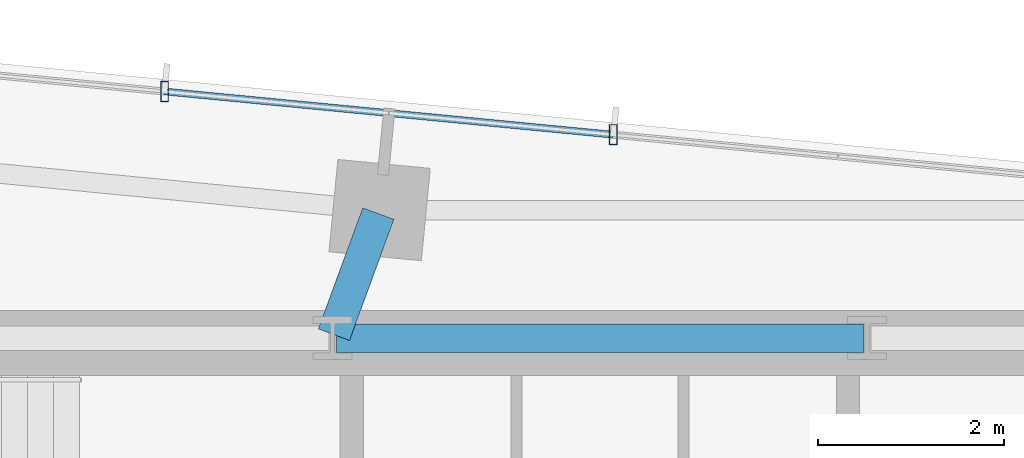
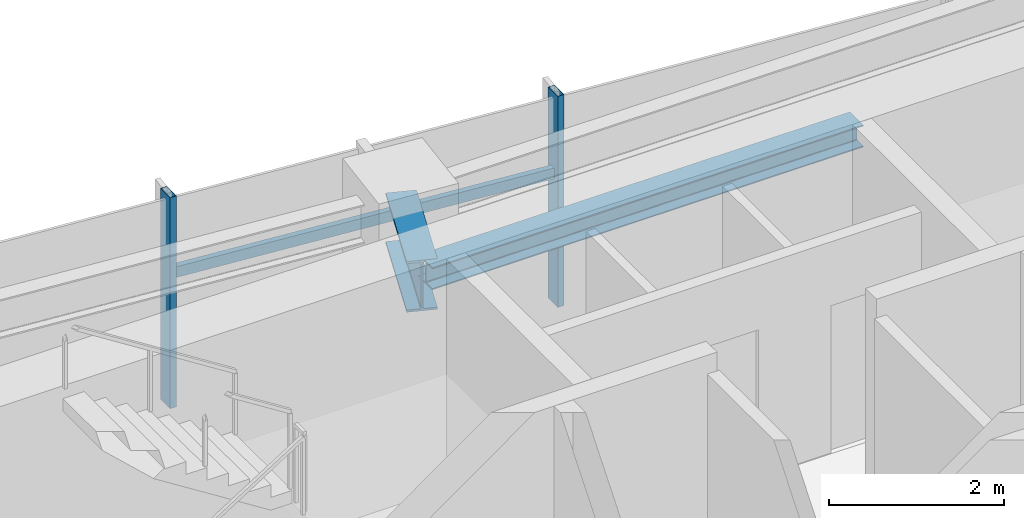
# One storey, part 8 of 20: 3 members, 2 beams, 1 element without a shape of its own.
"""IFC4 building model written with IfcOpenShell, lengths in metres."""

from ifc_helpers import new_model, si_unit, direction, frame, origin, origin_2d, place, context, subcontext, project, spatial, hollow_rectangle, i_section, extrude, source, transform, mapped, material, material_profile, profile_set, type_object, type_shapes, element, aggregate, save


model = new_model("IFC4")

# Units and contexts
model_context = context("Model", 3, precision=1e-05, world=origin(), true_north=direction((0.0, 1.0)))
body_context = subcontext(model_context, "Body", "Model", "MODEL_VIEW")
ifc_project = project(units=[si_unit("LENGTHUNIT", "METRE"), si_unit("AREAUNIT", "SQUARE_METRE"), si_unit("VOLUMEUNIT", "CUBIC_METRE"), si_unit("PLANEANGLEUNIT", "RADIAN"), si_unit("MASSUNIT", "GRAM", prefix="KILO")], contexts=[model_context])

# Site, building, storey
site_placement = place(None, origin())
site = spatial("IfcSite", under=ifc_project, at=site_placement, CompositionType="ELEMENT")
building_placement = place(site_placement, origin())
building = spatial("IfcBuilding", under=site, at=building_placement, Name="Astriad Promenade Condominiums", CompositionType="ELEMENT")
storey_placement = place(building_placement, frame((0.0, 0.0, 137.39990234375)))
storey = spatial("IfcBuildingStorey", under=building, at=storey_placement, Name="L39", CompositionType="ELEMENT", Elevation=137.39990234375)

# Beams
ifc_material_1 = material(Name="Steel ASTM A992 Grade 50", Category="steel")
ifc_material_profile_1 = material_profile(ifc_material_1, i_section(OverallWidth=0.3046875, OverallDepth=0.307861328125, WebThickness=0.010009765625, FlangeThickness=0.015380859375, FilletRadius=0.01513671875, at=origin_2d()), Name="W12X65")
ifc_profile_set_1 = profile_set([ifc_material_profile_1], Name="Steel ASTM A992 Grade 50")
beam_type_1 = type_object("IfcBeamType", Name="STEEL OPENING LINTEL W12X65", PredefinedType="LINTEL", material=ifc_profile_set_1)
shared_shape_1 = source(origin(), body_context, "Body", "SweptSolid", [
    extrude(i_section(OverallWidth=0.3046875, OverallDepth=0.307861328125, WebThickness=0.010009765625, FlangeThickness=0.015380859375, FilletRadius=0.01513671875, at=origin_2d()), origin(), (0.0, 0.0, 1.0), 5.68017578125),
])
type_shapes(beam_type_1, [shared_shape_1])
beam_1_placement = place(storey_placement, frame((33.159912109375, 24.0, 2.7861328125), z_axis=(1.0, 0.0, 0.0), x_axis=(0.0, 1.0, 0.0)))
element("IfcBeam", 1, at=beam_1_placement, inside=storey, type_object=beam_type_1, Name="Core Ring Beam CG-N2-L39", PredefinedType="LINTEL", context=body_context, shape_type="MappedRepresentation", body=[
    mapped(shared_shape_1, transform((0.0, 0.0, 0.0), scale=1.0)),
])
ifc_material_profile_2 = material_profile(ifc_material_1, i_section(OverallWidth=0.35791015625, OverallDepth=0.706298828125, WebThickness=0.018310546875, FlangeThickness=0.0302734375, FilletRadius=0.020263671875, at=origin_2d()), Name="W27X178")
ifc_profile_set_2 = profile_set([ifc_material_profile_2], Name="Steel ASTM A992 Grade 50")
beam_type_2 = type_object("IfcBeamType", Name="STEEL FLOOR GIRDER W27X178", PredefinedType="BEAM", material=ifc_profile_set_2)
shared_shape_2 = source(origin(), body_context, "Body", "SweptSolid", [
    extrude(i_section(OverallWidth=0.35791015625, OverallDepth=0.706298828125, WebThickness=0.018310546875, FlangeThickness=0.0302734375, FilletRadius=0.020263671875, at=origin_2d()), origin(), (0.0, 0.0, 1.0), 1.39013671875),
])
type_shapes(beam_type_2, [shared_shape_2])
beam_2_placement = place(storey_placement, frame((33.6123046875, 25.3427734375, 2.5869140625), z_axis=(-0.344223686797, -0.938887668173, 0.0), x_axis=(0.938887668173, -0.344223686797, 0.0)))
element("IfcBeam", 2, at=beam_2_placement, inside=storey, type_object=beam_type_2, Name="Primary Floor Girder PG-NC-L39", PredefinedType="BEAM", context=body_context, shape_type="MappedRepresentation", body=[
    mapped(shared_shape_2, transform((0.0, 0.0, 0.0), scale=1.0)),
])

# Curtain wall, members
ifc_material_2 = material(Name="Anodised aluminium Black Dark Glass Unitised", Category="aluminium")
curtain_wall_type = type_object("IfcCurtainWallType", Name="CW-B34-DARK", PredefinedType="USERDEFINED", material=ifc_material_2)
curtain_wall_placement = place(storey_placement, origin())
curtain_wall = element("IfcCurtainWall", 3, at=curtain_wall_placement, inside=storey, type_object=curtain_wall_type, Name="CW-L39-N", ObjectType="UNITISED_CURTAIN_WALL", PredefinedType="USERDEFINED")
ifc_material_3 = material(Name="Anodised aluminium 6063-T6 Black", Category="aluminium")
ifc_material_profile_3 = material_profile(ifc_material_3, hollow_rectangle(XDim=0.074951171875, YDim=0.14990234375, WallThickness=0.004150390625, at=origin_2d()), Name="ALU-TRN-75X150")
ifc_profile_set_3 = profile_set([ifc_material_profile_3], Name="Anodised aluminium 6063-T6 Black")
member_type_1 = type_object("IfcMemberType", Name="TRN-ALU-TRN-75X150", PredefinedType="USERDEFINED", material=ifc_profile_set_3)
shared_shape_3 = source(origin(), body_context, "Body", "SweptSolid", [
    extrude(hollow_rectangle(XDim=0.074951171875, YDim=0.14990234375, WallThickness=0.004150390625, at=origin_2d()), origin(), (0.0, 0.0, 1.0), 4.860107421875),
])
type_shapes(member_type_1, [shared_shape_3])
member_1_placement = place(storey_placement, frame((31.30810546875, 26.658447265625, 1.822998046875), z_axis=(0.995391248663, -0.09589714326, 0.0), x_axis=(0.09589714326, 0.995391248663, 0.0)))
member_1 = element("IfcMember", 4, at=member_1_placement, type_object=member_type_1, Name="CW-L39-N-TRN-01-0", ObjectType="TRANSOM", PredefinedType="USERDEFINED", context=body_context, shape_type="MappedRepresentation", body=[
    mapped(shared_shape_3, transform((0.0, 0.0, 0.0), scale=1.0)),
])
ifc_material_profile_4 = material_profile(ifc_material_3, hollow_rectangle(XDim=0.0849609375, YDim=0.219970703125, WallThickness=0.0048828125, at=origin_2d()), Name="ALU-MUL-85X220")
ifc_profile_set_4 = profile_set([ifc_material_profile_4], Name="Anodised aluminium 6063-T6 Black")
member_type_2 = type_object("IfcMemberType", Name="MUL-ALU-MUL-85X220", PredefinedType="MULLION", material=ifc_profile_set_4)
shared_shape_4 = source(origin(), body_context, "Body", "SweptSolid", [
    extrude(hollow_rectangle(XDim=0.0849609375, YDim=0.219970703125, WallThickness=0.0048828125, at=origin_2d()), origin(), (0.0, 0.0, 1.0), 2.940185546875),
])
type_shapes(member_type_2, [shared_shape_4])
member_2_placement = place(storey_placement, frame((31.30810546875, 26.658447265625, 0.0), z_axis=(0.0, 0.0, 1.0), x_axis=(1.0, 0.0, 0.0)))
member_2 = element("IfcMember", 5, at=member_2_placement, type_object=member_type_2, Name="CW-L39-N-MUL-01", PredefinedType="MULLION", context=body_context, shape_type="MappedRepresentation", body=[
    mapped(shared_shape_4, transform((0.0, 0.0, 0.0), scale=1.0)),
])
member_3_placement = place(storey_placement, frame((36.145751953125, 26.1923828125, 0.0), z_axis=(0.0, 0.0, 1.0), x_axis=(1.0, 0.0, 0.0)))
member_3 = element("IfcMember", 6, at=member_3_placement, type_object=member_type_2, Name="CW-L39-N-MUL-02", PredefinedType="MULLION", context=body_context, shape_type="MappedRepresentation", body=[
    mapped(shared_shape_4, transform((0.0, 0.0, 0.0), scale=1.0)),
])
aggregate(curtain_wall, [member_2, member_3, member_1])

save(model, "model.ifc")
